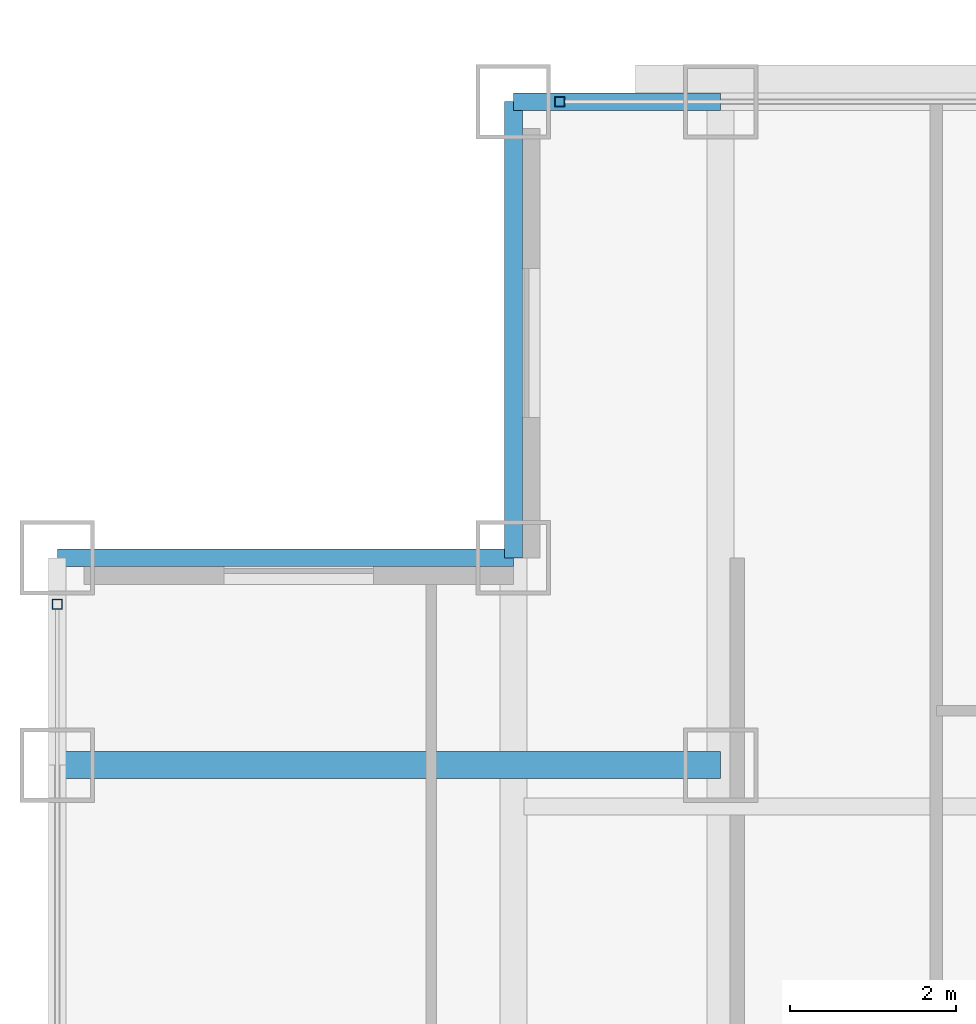
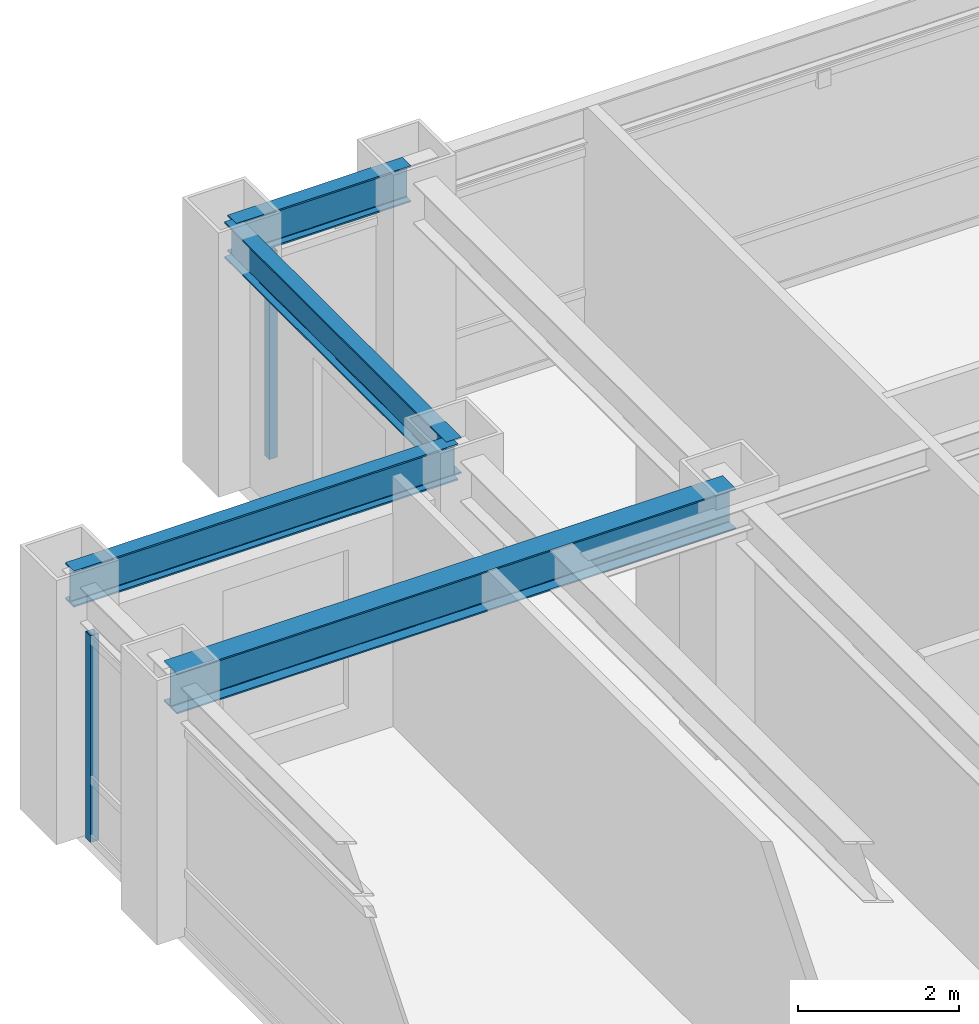
# One storey, part 12 of 27: 4 beams, 2 members, 2 elements without a shape of their own.
"""IFC4 building model written with IfcOpenShell, lengths in metres."""

from ifc_helpers import new_model, si_unit, direction, frame, origin, origin_2d, place, context, subcontext, project, spatial, hollow_rectangle, i_section, extrude, source, transform, mapped, material, material_profile, profile_set, type_object, element, aggregate, save


model = new_model("IFC4")

# Units and contexts
model_context = context("Model", 3, precision=1e-05, world=origin(), true_north=direction((0.0, 1.0)))
body_context = subcontext(model_context, "Body", "Model", "MODEL_VIEW")
ifc_project = project(units=[si_unit("LENGTHUNIT", "METRE"), si_unit("AREAUNIT", "SQUARE_METRE"), si_unit("VOLUMEUNIT", "CUBIC_METRE"), si_unit("PLANEANGLEUNIT", "RADIAN"), si_unit("MASSUNIT", "GRAM", prefix="KILO")], contexts=[model_context])

# Site, building, storey
site_placement = place(None, origin())
site = spatial("IfcSite", under=ifc_project, at=site_placement, CompositionType="ELEMENT")
building_placement = place(site_placement, origin())
building = spatial("IfcBuilding", under=site, at=building_placement, Name="Khorayat Bourse Tower", CompositionType="ELEMENT")
storey_placement = place(building_placement, frame((0.0, 0.0, 281.5)))
storey = spatial("IfcBuildingStorey", under=building, at=storey_placement, Name="L66", CompositionType="ELEMENT", Elevation=281.5)

# Beams
ifc_material_1 = material(Name="Steel ASTM A992 Grade 50", Category="steel")
ifc_material_profile_1 = material_profile(ifc_material_1, i_section(OverallWidth=0.324951171875, OverallDepth=0.615966796875, WebThickness=0.013916015625, FlangeThickness=0.021484375, FilletRadius=0.01611328125, at=origin_2d()), Name="W610X174")
ifc_profile_set_1 = profile_set([ifc_material_profile_1], Name="Steel ASTM A992 Grade 50")
beam_type_1 = type_object("IfcBeamType", Name="BM-GIRD-610", PredefinedType="BEAM", material=ifc_profile_set_1)
shared_shape_1 = source(origin(), body_context, "Body", "SweptSolid", [
    extrude(i_section(OverallWidth=0.324951171875, OverallDepth=0.615966796875, WebThickness=0.013916015625, FlangeThickness=0.021484375, FilletRadius=0.01611328125, at=origin_2d()), origin(), (0.0, 0.0, 1.0), 8.0),
])
beam_1_placement = place(storey_placement, frame((-28.0, 20.0, 3.471923828125), z_axis=(1.0, 0.0, 0.0), x_axis=(0.0, 1.0, 0.0)))
element("IfcBeam", 1, at=beam_1_placement, inside=storey, type_object=beam_type_1, Name="L66 BM-GIRD-610 BM-L66-CNRX-095", PredefinedType="BEAM", context=body_context, shape_type="MappedRepresentation", body=[
    mapped(shared_shape_1, transform((0.0, 0.0, 0.0), scale=1.0)),
])
ifc_material_profile_2 = material_profile(ifc_material_1, i_section(OverallWidth=0.214111328125, OverallDepth=0.549072265625, WebThickness=0.0146484375, FlangeThickness=0.023681640625, FilletRadius=0.013916015625, at=origin_2d()), Name="W530X138")
ifc_profile_set_2 = profile_set([ifc_material_profile_2], Name="Steel ASTM A992 Grade 50")
beam_type_2 = type_object("IfcBeamType", Name="BM-SPAN-530", PredefinedType="SPANDREL", material=ifc_profile_set_2)
shared_shape_2 = source(origin(), body_context, "Body", "SweptSolid", [
    extrude(i_section(OverallWidth=0.214111328125, OverallDepth=0.549072265625, WebThickness=0.0146484375, FlangeThickness=0.023681640625, FilletRadius=0.013916015625, at=origin_2d()), origin(), (0.0, 0.0, 1.0), 2.5),
])
beam_2_placement = place(storey_placement, frame((-22.5, 28.0, 3.505615234375), z_axis=(1.0, 0.0, 0.0), x_axis=(0.0, 1.0, 0.0)))
element("IfcBeam", 2, at=beam_2_placement, inside=storey, type_object=beam_type_2, Name="L66 BM-SPAN-530 BM-L66-SPN-051", PredefinedType="SPANDREL", context=body_context, shape_type="MappedRepresentation", body=[
    mapped(shared_shape_2, transform((0.0, 0.0, 0.0), scale=1.0)),
])
shared_shape_3 = source(origin(), body_context, "Body", "SweptSolid", [
    extrude(i_section(OverallWidth=0.214111328125, OverallDepth=0.549072265625, WebThickness=0.0146484375, FlangeThickness=0.023681640625, FilletRadius=0.013916015625, at=origin_2d()), origin(), (0.0, 0.0, 1.0), 5.5),
])
for number, where, z_axis, x_axis, name in (
    (3, (-22.5, 22.5, 3.505615234375), (0.0, 1.0, 0.0), (-1.0, 0.0, 0.0), "L66 BM-SPAN-530 BM-L66-SPN-052"),
    (4, (-28.0, 22.5, 3.505615234375), (1.0, 0.0, 0.0), (0.0, 1.0, 0.0), "L66 BM-SPAN-530 BM-L66-SPN-053"),
):
    element("IfcBeam", number, at=place(storey_placement, frame(where, z_axis=z_axis, x_axis=x_axis)), inside=storey, type_object=beam_type_2, Name=name, PredefinedType="SPANDREL", context=body_context, shape_type="MappedRepresentation", body=[
        mapped(shared_shape_3, transform((0.0, 0.0, 0.0), scale=1.0)),
    ])

# Curtain wall, member
ifc_material_2 = material(Name="Aluminium EN AW-6063 T6", Category="aluminium")
curtain_wall_type = type_object("IfcCurtainWallType", Name="CW-SYS-04", PredefinedType="NOTDEFINED", material=ifc_material_2)
curtain_wall_1_placement = place(storey_placement, origin())
curtain_wall_1 = element("IfcCurtainWall", 5, at=curtain_wall_1_placement, inside=storey, type_object=curtain_wall_type, Name="L66 Curtain Wall CW-L66-N1", PredefinedType="NOTDEFINED")
ifc_material_profile_3 = material_profile(ifc_material_2, hollow_rectangle(XDim=0.1201171875, YDim=0.1201171875, WallThickness=0.0048828125, at=origin_2d()), Name="ALU 120x120x5")
ifc_profile_set_3 = profile_set([ifc_material_profile_3], Name="Aluminium EN AW-6063 T6")
member_type = type_object("IfcMemberType", Name="CWM-VERT-120", PredefinedType="MULLION", material=ifc_profile_set_3)
shared_shape_4 = source(origin(), body_context, "Body", "SweptSolid", [
    extrude(hollow_rectangle(XDim=0.1201171875, YDim=0.1201171875, WallThickness=0.0048828125, at=origin_2d()), origin(), (0.0, 0.0, 1.0), 3.1298828125),
])
member_1_placement = place(storey_placement, frame((-21.93994140625, 28.0, 0.0), z_axis=(0.0, 0.0, 1.0), x_axis=(0.0, 1.0, 0.0)))
member_1 = element("IfcMember", 6, at=member_1_placement, type_object=member_type, Name="CW-L66-N1 Vertical Mullion 1", PredefinedType="MULLION", context=body_context, shape_type="MappedRepresentation", body=[
    mapped(shared_shape_4, transform((0.0, 0.0, 0.0), scale=1.0)),
])
aggregate(curtain_wall_1, [member_1])

curtain_wall_2_placement = place(storey_placement, origin())
curtain_wall_2 = element("IfcCurtainWall", 7, at=curtain_wall_2_placement, inside=storey, type_object=curtain_wall_type, Name="L66 Curtain Wall CW-L66-W1", PredefinedType="NOTDEFINED")
member_2_placement = place(storey_placement, frame((-28.0, 21.93994140625, 0.0), z_axis=(0.0, 0.0, 1.0), x_axis=(-1.0, 0.0, 0.0)))
member_2 = element("IfcMember", 8, at=member_2_placement, type_object=member_type, Name="CW-L66-W1 Vertical Mullion 3", PredefinedType="MULLION", context=body_context, shape_type="MappedRepresentation", body=[
    mapped(shared_shape_4, transform((0.0, 0.0, 0.0), scale=1.0)),
])
aggregate(curtain_wall_2, [member_2])

save(model, "model.ifc")
